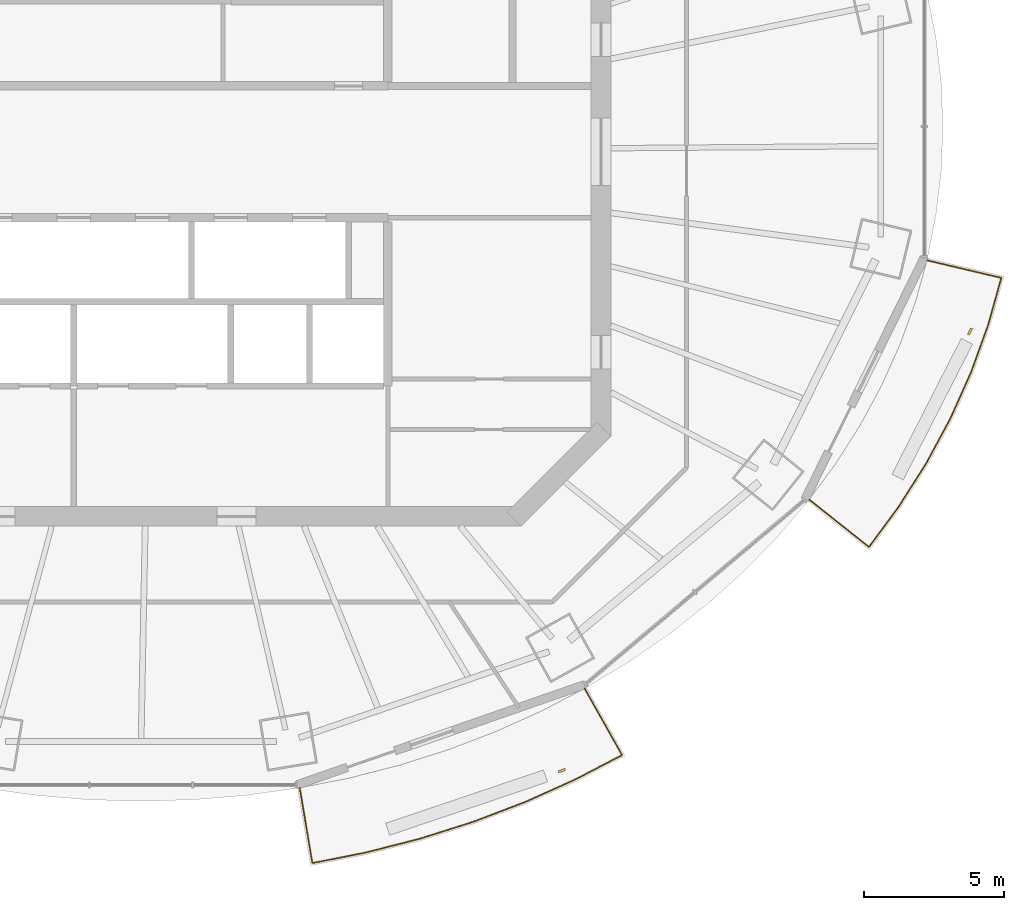
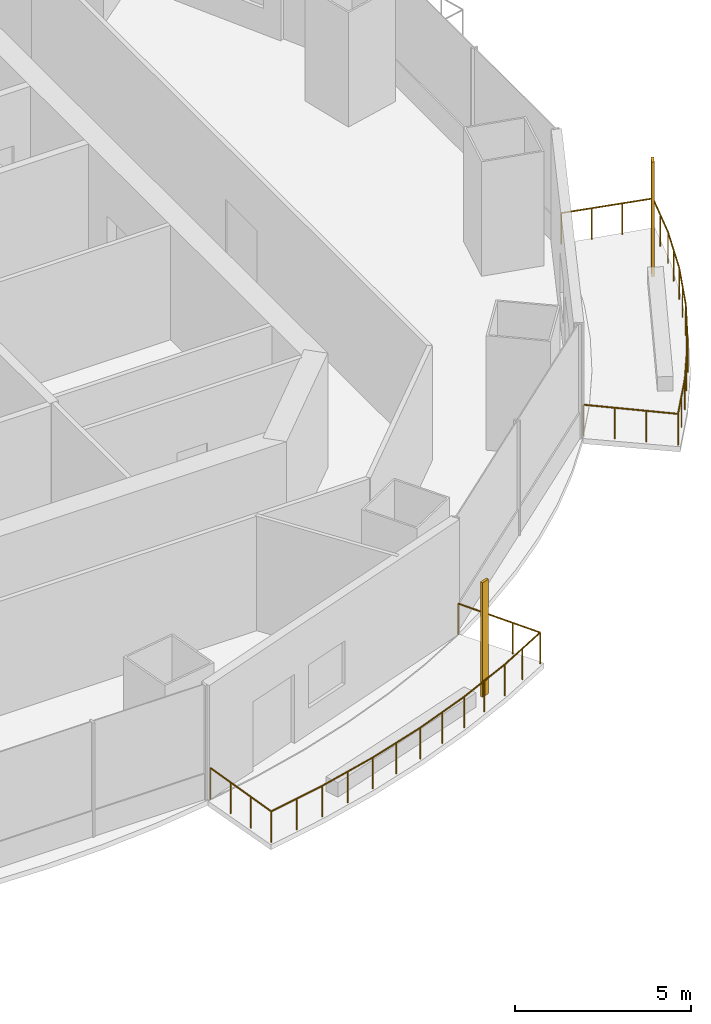
# One storey, part 13 of 16: 2 railings, 2 shading devices.
"""IFC4 building model written with IfcOpenShell, lengths in metres."""

from ifc_helpers import new_model, si_unit, direction, frame, origin, origin_2d, place, context, subcontext, project, spatial, rectangle, circle, extrude, material, material_profile, profile_set, type_object, element, save


model = new_model("IFC4")

# Units and contexts
model_context = context("Model", 3, precision=1e-05, world=origin(), true_north=direction((0.0, 1.0)))
body_context = subcontext(model_context, "Body", "Model", "MODEL_VIEW")
ifc_project = project(units=[si_unit("LENGTHUNIT", "METRE"), si_unit("AREAUNIT", "SQUARE_METRE"), si_unit("VOLUMEUNIT", "CUBIC_METRE"), si_unit("PLANEANGLEUNIT", "RADIAN"), si_unit("MASSUNIT", "GRAM", prefix="KILO")], contexts=[model_context])

# Site, building, storey
site_placement = place(None, origin())
site = spatial("IfcSite", under=ifc_project, at=site_placement, CompositionType="ELEMENT")
building_placement = place(site_placement, origin())
building = spatial("IfcBuilding", under=site, at=building_placement, Name="Marenthal Gate Tower", CompositionType="ELEMENT")
storey_placement = place(building_placement, frame((0.0, 0.0, 301.10009765625)))
storey = spatial("IfcBuildingStorey", under=building, at=storey_placement, Name="L67", CompositionType="ELEMENT", Elevation=301.10009765625)

# Railings
ifc_material_1 = material(Name="Stainless steel", Category="steel")
railing_type = type_object("IfcRailingType", Name="Balcony guard 1100", PredefinedType="GUARDRAIL", material=ifc_material_1)
railing_1_placement = place(storey_placement, frame((15.41748046875, -19.142822265625, 0.0)))
element("IfcRailing", 1, at=railing_1_placement, inside=storey, type_object=railing_type, Name="Balcony guard L67 bay 13", PredefinedType="GUARDRAIL", context=body_context, shape_type="SweptSolid", body=[
    extrude(circle(Radius=0.02392578125, at=origin_2d()), frame((0.0, 0.0, 1.076171875), z_axis=(0.490323175975, -0.871416385785, -0.01471956816), x_axis=(0.871510804143, 0.490376302712, 0.0)), (0.0, 0.0, 1.0), 2.72021484375),
    extrude(circle(Radius=0.02392578125, at=origin_2d()), frame((1.333740234375, -2.370361328125, 1.0361328125), z_axis=(-0.886619639625, -0.462499313113, 0.0), x_axis=(0.462499313113, -0.886619639625, 0.0)), (0.0, 0.0, 1.0), 1.87646484375),
    extrude(circle(Radius=0.02392578125, at=origin_2d()), frame((-0.330078125, -3.23828125, 1.0361328125), z_axis=(-0.912039734027, -0.410101845345, 0.0), x_axis=(0.410101845345, -0.912039734027, 0.0)), (0.0, 0.0, 1.0), 1.969970703125),
    extrude(circle(Radius=0.02392578125, at=origin_2d()), frame((-2.126708984375, -4.046142578125, 1.0361328125), z_axis=(-0.934386218754, -0.356261693426, 0.0), x_axis=(0.356261693426, -0.934386218754, 0.0)), (0.0, 0.0, 1.0), 1.98193359375),
    extrude(circle(Radius=0.02392578125, at=origin_2d()), frame((-3.978515625, -4.752197265625, 1.0361328125), z_axis=(-0.953365734412, -0.301817455508, 0.0), x_axis=(0.301817455508, -0.953365734412, 0.0)), (0.0, 0.0, 1.0), 1.992431640625),
    extrude(circle(Radius=0.02392578125, at=origin_2d()), frame((-5.8779296875, -5.353515625, 1.0361328125), z_axis=(-0.968932635782, -0.24732478104, 0.0), x_axis=(0.24732478104, -0.968932635782, 0.0)), (0.0, 0.0, 1.0), 2.001953125),
    extrude(circle(Radius=0.02392578125, at=origin_2d()), frame((-7.817626953125, -5.8486328125, 1.0361328125), z_axis=(-0.981054729466, -0.193730786897, 0.0), x_axis=(0.193730786897, -0.981054729466, 0.0)), (0.0, 0.0, 1.0), 1.929443359375),
    extrude(circle(Radius=0.02392578125, at=origin_2d()), frame((-9.71044921875, -6.222412109375, 1.0361328125), z_axis=(-0.16513793129, 0.986160646201, 0.014718815615), x_axis=(-0.986267486225, -0.165155822229, 0.0)), (0.0, 0.0, 1.0), 2.72021484375),
    extrude(circle(Radius=0.02099609375, at=origin_2d()), origin(), (0.0, 0.0, 1.0), 1.052001953125),
    extrude(circle(Radius=0.02099609375, at=origin_2d()), frame((0.444580078125, -0.7900390625, -0.013427734375)), (0.0, 0.0, 1.0), 1.052001953125),
    extrude(circle(Radius=0.02099609375, at=origin_2d()), frame((0.88916015625, -1.580322265625, -0.026611328125)), (0.0, 0.0, 1.0), 1.052001953125),
    extrude(circle(Radius=0.02099609375, at=origin_2d()), frame((1.333740234375, -2.370361328125, -0.0400390625)), (0.0, 0.0, 1.0), 1.052001953125),
    extrude(circle(Radius=0.02099609375, at=origin_2d()), frame((0.501953125, -2.80419921875, -0.0400390625)), (0.0, 0.0, 1.0), 1.052001953125),
    extrude(circle(Radius=0.02099609375, at=origin_2d()), frame((-0.330078125, -3.23828125, -0.0400390625)), (0.0, 0.0, 1.0), 1.052001953125),
    extrude(circle(Radius=0.02099609375, at=origin_2d()), frame((-1.228515625, -3.64208984375, -0.0400390625)), (0.0, 0.0, 1.0), 1.052001953125),
    extrude(circle(Radius=0.02099609375, at=origin_2d()), frame((-2.126708984375, -4.046142578125, -0.0400390625)), (0.0, 0.0, 1.0), 1.052001953125),
    extrude(circle(Radius=0.02099609375, at=origin_2d()), frame((-3.052734375, -4.399169921875, -0.0400390625)), (0.0, 0.0, 1.0), 1.052001953125),
    extrude(circle(Radius=0.02099609375, at=origin_2d()), frame((-3.978515625, -4.752197265625, -0.0400390625)), (0.0, 0.0, 1.0), 1.052001953125),
    extrude(circle(Radius=0.02099609375, at=origin_2d()), frame((-4.92822265625, -5.052734375, -0.0400390625)), (0.0, 0.0, 1.0), 1.052001953125),
    extrude(circle(Radius=0.02099609375, at=origin_2d()), frame((-5.8779296875, -5.353515625, -0.0400390625)), (0.0, 0.0, 1.0), 1.052001953125),
    extrude(circle(Radius=0.02099609375, at=origin_2d()), frame((-6.84765625, -5.60107421875, -0.0400390625)), (0.0, 0.0, 1.0), 1.052001953125),
    extrude(circle(Radius=0.02099609375, at=origin_2d()), frame((-7.817626953125, -5.8486328125, -0.0400390625)), (0.0, 0.0, 1.0), 1.052001953125),
    extrude(circle(Radius=0.02099609375, at=origin_2d()), frame((-8.76416015625, -6.03564453125, -0.0400390625)), (0.0, 0.0, 1.0), 1.052001953125),
    extrude(circle(Radius=0.02099609375, at=origin_2d()), frame((-9.71044921875, -6.222412109375, -0.0400390625)), (0.0, 0.0, 1.0), 1.052001953125),
    extrude(circle(Radius=0.02099609375, at=origin_2d()), frame((-9.860107421875, -5.328125, -0.026611328125)), (0.0, 0.0, 1.0), 1.052001953125),
    extrude(circle(Radius=0.02099609375, at=origin_2d()), frame((-10.010009765625, -4.43408203125, -0.013427734375)), (0.0, 0.0, 1.0), 1.052001953125),
    extrude(circle(Radius=0.02099609375, at=origin_2d()), frame((-10.15966796875, -3.539794921875, 0.0)), (0.0, 0.0, 1.0), 1.052001953125),
])
railing_2_placement = place(storey_placement, frame((27.628173828125, -3.871337890625, 0.0)))
element("IfcRailing", 2, at=railing_2_placement, inside=storey, type_object=railing_type, Name="Balcony guard L67 bay 15", PredefinedType="GUARDRAIL", context=body_context, shape_type="SweptSolid", body=[
    extrude(circle(Radius=0.02392578125, at=origin_2d()), frame((0.0, 0.0, 1.076171875), z_axis=(0.973112411133, -0.229859886083, -0.014719649089), x_axis=(0.229884791779, 0.973217849461, 0.0)), (0.0, 0.0, 1.0), 2.72021484375),
    extrude(circle(Radius=0.02392578125, at=origin_2d()), frame((2.64697265625, -0.625244140625, 1.0361328125), z_axis=(-0.268728447288, -0.963215978698, 0.0), x_axis=(0.963215978698, -0.268728447288, 0.0)), (0.0, 0.0, 1.0), 1.718017578125),
    extrude(circle(Radius=0.02392578125, at=origin_2d()), frame((2.185302734375, -2.280029296875, 1.0361328125), z_axis=(-0.33909288178, -0.940752899292, 0.0), x_axis=(0.940752899292, -0.33909288178, 0.0)), (0.0, 0.0, 1.0), 1.8056640625),
    extrude(circle(Radius=0.02392578125, at=origin_2d()), frame((1.572998046875, -3.978759765625, 1.0361328125), z_axis=(-0.408333619035, -0.912832764292, 0.0), x_axis=(0.912832764292, -0.408333619035, 0.0)), (0.0, 0.0, 1.0), 1.815185546875),
    extrude(circle(Radius=0.02392578125, at=origin_2d()), frame((0.831787109375, -5.6357421875, 1.0361328125), z_axis=(-0.474067933151, -0.880488270653, 0.0), x_axis=(0.880488270653, -0.474067933151, 0.0)), (0.0, 0.0, 1.0), 1.826171875),
    extrude(circle(Radius=0.02392578125, at=origin_2d()), frame((-0.033935546875, -7.24365234375, 1.0361328125), z_axis=(-0.536179368299, -0.844104072381, 0.0), x_axis=(0.844104072381, -0.536179368299, 0.0)), (0.0, 0.0, 1.0), 1.838623046875),
    extrude(circle(Radius=0.02392578125, at=origin_2d()), frame((-1.019775390625, -8.795654296875, 1.0361328125), z_axis=(-0.59310034369, -0.80512855018, 0.0), x_axis=(0.80512855018, -0.59310034369, 0.0)), (0.0, 0.0, 1.0), 1.77197265625),
    extrude(circle(Radius=0.02392578125, at=origin_2d()), frame((-2.07080078125, -10.222412109375, 1.0361328125), z_axis=(-0.783334446315, 0.62142618083, 0.014718933226), x_axis=(-0.621493506827, -0.783419313632, 0.0)), (0.0, 0.0, 1.0), 2.72021484375),
    extrude(circle(Radius=0.02099609375, at=origin_2d()), origin(), (0.0, 0.0, 1.0), 1.052001953125),
    extrude(circle(Radius=0.02099609375, at=origin_2d()), frame((0.88232421875, -0.20849609375, -0.013427734375)), (0.0, 0.0, 1.0), 1.052001953125),
    extrude(circle(Radius=0.02099609375, at=origin_2d()), frame((1.7646484375, -0.416748046875, -0.026611328125)), (0.0, 0.0, 1.0), 1.052001953125),
    extrude(circle(Radius=0.02099609375, at=origin_2d()), frame((2.64697265625, -0.625244140625, -0.0400390625)), (0.0, 0.0, 1.0), 1.052001953125),
    extrude(circle(Radius=0.02099609375, at=origin_2d()), frame((2.416015625, -1.45263671875, -0.0400390625)), (0.0, 0.0, 1.0), 1.052001953125),
    extrude(circle(Radius=0.02099609375, at=origin_2d()), frame((2.185302734375, -2.280029296875, -0.0400390625)), (0.0, 0.0, 1.0), 1.052001953125),
    extrude(circle(Radius=0.02099609375, at=origin_2d()), frame((1.879150390625, -3.12939453125, -0.0400390625)), (0.0, 0.0, 1.0), 1.052001953125),
    extrude(circle(Radius=0.02099609375, at=origin_2d()), frame((1.572998046875, -3.978759765625, -0.0400390625)), (0.0, 0.0, 1.0), 1.052001953125),
    extrude(circle(Radius=0.02099609375, at=origin_2d()), frame((1.202392578125, -4.80712890625, -0.0400390625)), (0.0, 0.0, 1.0), 1.052001953125),
    extrude(circle(Radius=0.02099609375, at=origin_2d()), frame((0.831787109375, -5.6357421875, -0.0400390625)), (0.0, 0.0, 1.0), 1.052001953125),
    extrude(circle(Radius=0.02099609375, at=origin_2d()), frame((0.39892578125, -6.439697265625, -0.0400390625)), (0.0, 0.0, 1.0), 1.052001953125),
    extrude(circle(Radius=0.02099609375, at=origin_2d()), frame((-0.033935546875, -7.24365234375, -0.0400390625)), (0.0, 0.0, 1.0), 1.052001953125),
    extrude(circle(Radius=0.02099609375, at=origin_2d()), frame((-0.52685546875, -8.01953125, -0.0400390625)), (0.0, 0.0, 1.0), 1.052001953125),
    extrude(circle(Radius=0.02099609375, at=origin_2d()), frame((-1.019775390625, -8.795654296875, -0.0400390625)), (0.0, 0.0, 1.0), 1.052001953125),
    extrude(circle(Radius=0.02099609375, at=origin_2d()), frame((-1.54541015625, -9.509033203125, -0.0400390625)), (0.0, 0.0, 1.0), 1.052001953125),
    extrude(circle(Radius=0.02099609375, at=origin_2d()), frame((-2.07080078125, -10.222412109375, -0.0400390625)), (0.0, 0.0, 1.0), 1.052001953125),
    extrude(circle(Radius=0.02099609375, at=origin_2d()), frame((-2.781005859375, -9.658935546875, -0.026611328125)), (0.0, 0.0, 1.0), 1.052001953125),
    extrude(circle(Radius=0.02099609375, at=origin_2d()), frame((-3.491455078125, -9.095458984375, -0.013427734375)), (0.0, 0.0, 1.0), 1.052001953125),
    extrude(circle(Radius=0.02099609375, at=origin_2d()), frame((-4.20166015625, -8.531982421875, 0.0)), (0.0, 0.0, 1.0), 1.052001953125),
])

# Shading devices
ifc_material_2 = material(Name="Terracotta", Category="masonry")
ifc_material_profile = material_profile(ifc_material_2, rectangle(XDim=0.25, YDim=0.080078125, at=origin_2d()), Name="Terracotta baguette 250x80")
ifc_profile_set = profile_set([ifc_material_profile], Name="Terracotta")
shading_device_type = type_object("IfcShadingDeviceType", Name="Terracotta BAGUETTE SCREEN 250x80", PredefinedType="USERDEFINED", material=ifc_profile_set)
for number, where, z_axis, x_axis, name in (
    (3, (14.60498046875, -22.066162109375, -0.0400390625), (0.0, 0.0, 1.0), (0.944279584145, 0.329144446962, 0.0), "Terracotta BAGUETTE L67 bay 13R"),
    (4, (29.1611328125, -6.410888671875, -0.0400390625), (0.0, 0.0, 1.0), (0.441623511691, 0.897200464735, 0.0), "Terracotta BAGUETTE L67 bay 15R"),
):
    element("IfcShadingDevice", number, at=place(storey_placement, frame(where, z_axis=z_axis, x_axis=x_axis)), inside=storey, type_object=shading_device_type, Name=name, ObjectType="BAGUETTE SCREEN", PredefinedType="USERDEFINED", context=body_context, shape_type="SweptSolid", body=[
        extrude(rectangle(XDim=0.25, YDim=0.080078125, at=origin_2d()), origin(), (0.0, 0.0, 1.0), 3.969970703125),
    ])

save(model, "model.ifc")
